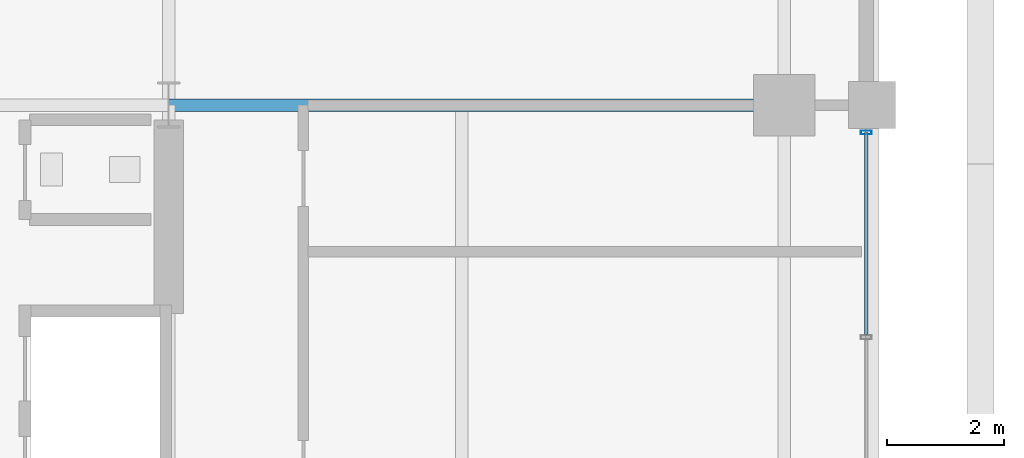
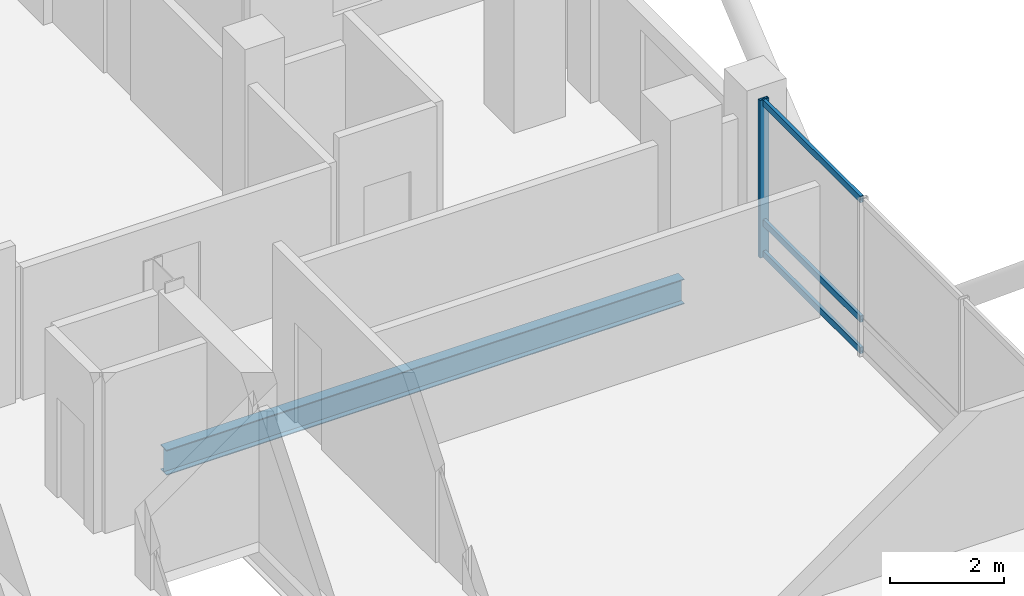
# One storey, part 11 of 23: 4 members, 1 beam, 1 element without a shape of its own.
"""IFC4 building model written with IfcOpenShell, lengths in metres."""

from ifc_helpers import new_model, si_unit, direction, frame, origin, origin_2d, place, context, subcontext, project, spatial, hollow_rectangle, i_section, extrude, material, layer, layer_set, material_profile, profile_set, type_object, element, aggregate, save


model = new_model("IFC4")

# Units and contexts
model_context = context("Model", 3, precision=1e-05, world=origin(), true_north=direction((0.0, 1.0)))
body_context = subcontext(model_context, "Body", "Model", "MODEL_VIEW")
ifc_project = project(units=[si_unit("LENGTHUNIT", "METRE"), si_unit("AREAUNIT", "SQUARE_METRE"), si_unit("VOLUMEUNIT", "CUBIC_METRE"), si_unit("PLANEANGLEUNIT", "RADIAN"), si_unit("MASSUNIT", "GRAM", prefix="KILO")], contexts=[model_context])

# Site, building, storey
site_placement = place(None, origin())
site = spatial("IfcSite", under=ifc_project, at=site_placement, CompositionType="ELEMENT")
building_placement = place(site_placement, origin())
building = spatial("IfcBuilding", under=site, at=building_placement, Name="Barlavira Tower and Art Museum", CompositionType="ELEMENT")
storey_placement = place(building_placement, frame((0.0, 0.0, 205.199951171875)))
storey = spatial("IfcBuildingStorey", under=building, at=storey_placement, Name="L53", CompositionType="ELEMENT", Elevation=205.199951171875)

# Curtain wall, members
ifc_material_1 = material(Name="Low-iron coastal laminated glass", Category="glass")
ifc_layer = layer(ifc_material_1, 0.199951171875, Name="Low-iron coastal laminated glass")
ifc_layer_set = layer_set([ifc_layer], Name="Low-iron coastal laminated glass")
curtain_wall_type = type_object("IfcCurtainWallType", Name="Pale-Metal Unitised Curtain Wall Zone 3", PredefinedType="NOTDEFINED", material=ifc_layer_set)
curtain_wall_placement = place(storey_placement, origin())
curtain_wall = element("IfcCurtainWall", 1, at=curtain_wall_placement, inside=storey, type_object=curtain_wall_type, Name="L53 Curtain Wall CW3-L53-E-B3", PredefinedType="NOTDEFINED")
ifc_material_2 = material(Name="Pale anodised aluminium", Category="aluminium")
ifc_material_profile_1 = material_profile(ifc_material_2, hollow_rectangle(XDim=0.06494140625, YDim=0.179931640625, WallThickness=0.00390625, at=origin_2d()), Name="ALU-MULL 65x180x4")
ifc_profile_set_1 = profile_set([ifc_material_profile_1], Name="Pale anodised aluminium")
member_type_1 = type_object("IfcMemberType", Name="Curtain Wall Pale-Metal Mullion 65x180", PredefinedType="MULLION", material=ifc_profile_set_1)
member_1_placement = place(storey_placement, frame((18.39990234375, 7.034912109375, 0.0), z_axis=(0.0, 0.0, 1.0), x_axis=(0.0, 1.0, 0.0)))
member_1 = element("IfcMember", 2, at=member_1_placement, type_object=member_type_1, Name="CW3-L53-E-B3 Mullion 4", PredefinedType="MULLION", context=body_context, shape_type="SweptSolid", body=[
    extrude(hollow_rectangle(XDim=0.06494140625, YDim=0.179931640625, WallThickness=0.00390625, at=origin_2d()), origin(), (0.0, 0.0, 1.0), 3.380126953125),
])
ifc_material_profile_2 = material_profile(ifc_material_2, hollow_rectangle(XDim=0.06494140625, YDim=0.139892578125, WallThickness=0.00390625, at=origin_2d()), Name="ALU-TRAN 65x140x4")
ifc_profile_set_2 = profile_set([ifc_material_profile_2], Name="Pale anodised aluminium")
member_type_2 = type_object("IfcMemberType", Name="Curtain Wall Pale-Metal Transom 65x140", PredefinedType="USERDEFINED", material=ifc_profile_set_2)
member_2_placement = place(storey_placement, frame((18.39990234375, 3.5849609375, 0.070068359375), z_axis=(0.0, 1.0, 0.0), x_axis=(-1.0, 0.0, 0.0)))
member_2 = element("IfcMember", 3, at=member_2_placement, type_object=member_type_2, Name="CW3-L53-E-B3 Transom 3.1", ObjectType="TRANSOM", PredefinedType="USERDEFINED", context=body_context, shape_type="SweptSolid", body=[
    extrude(hollow_rectangle(XDim=0.06494140625, YDim=0.139892578125, WallThickness=0.00390625, at=origin_2d()), origin(), (0.0, 0.0, 1.0), 3.449951171875),
])
member_3_placement = place(storey_placement, frame((18.39990234375, 3.5849609375, 0.744140625), z_axis=(0.0, 1.0, 0.0), x_axis=(-1.0, 0.0, 0.0)))
member_3 = element("IfcMember", 4, at=member_3_placement, type_object=member_type_2, Name="CW3-L53-E-B3 Transom 3.2", ObjectType="TRANSOM", PredefinedType="USERDEFINED", context=body_context, shape_type="SweptSolid", body=[
    extrude(hollow_rectangle(XDim=0.06494140625, YDim=0.139892578125, WallThickness=0.00390625, at=origin_2d()), origin(), (0.0, 0.0, 1.0), 3.449951171875),
])
member_4_placement = place(storey_placement, frame((18.39990234375, 3.5849609375, 3.31005859375), z_axis=(0.0, 1.0, 0.0), x_axis=(-1.0, 0.0, 0.0)))
member_4 = element("IfcMember", 5, at=member_4_placement, type_object=member_type_2, Name="CW3-L53-E-B3 Transom 3.3", ObjectType="TRANSOM", PredefinedType="USERDEFINED", context=body_context, shape_type="SweptSolid", body=[
    extrude(hollow_rectangle(XDim=0.06494140625, YDim=0.139892578125, WallThickness=0.00390625, at=origin_2d()), origin(), (0.0, 0.0, 1.0), 3.449951171875),
])
aggregate(curtain_wall, [member_1, member_2, member_3, member_4])

# Beam
ifc_material_3 = material(Name="Steel S355", Category="steel")
ifc_material_profile_3 = material_profile(ifc_material_3, i_section(OverallWidth=0.2109375, OverallDepth=0.5390625, WebThickness=0.01171875, FlangeThickness=0.018798828125, at=origin_2d()), Name="W530x109.0")
ifc_profile_set_3 = profile_set([ifc_material_profile_3], Name="Steel S355")
beam_type = type_object("IfcBeamType", Name="Zone 3-4 Primary Floor Girder W530x109 Steel S355", PredefinedType="BEAM", material=ifc_profile_set_3)
beam_placement = place(storey_placement, frame((6.5, 7.5, -0.489501953125), z_axis=(1.0, 0.0, 0.0), x_axis=(0.0, 1.0, 0.0)))
element("IfcBeam", 6, at=beam_placement, inside=storey, type_object=beam_type, Name="L53 Girder R-E2", PredefinedType="BEAM", context=body_context, shape_type="SweptSolid", body=[
    extrude(i_section(OverallWidth=0.2109375, OverallDepth=0.5390625, WebThickness=0.01171875, FlangeThickness=0.018798828125, at=origin_2d()), origin(), (0.0, 0.0, 1.0), 10.5),
])

save(model, "model.ifc")
